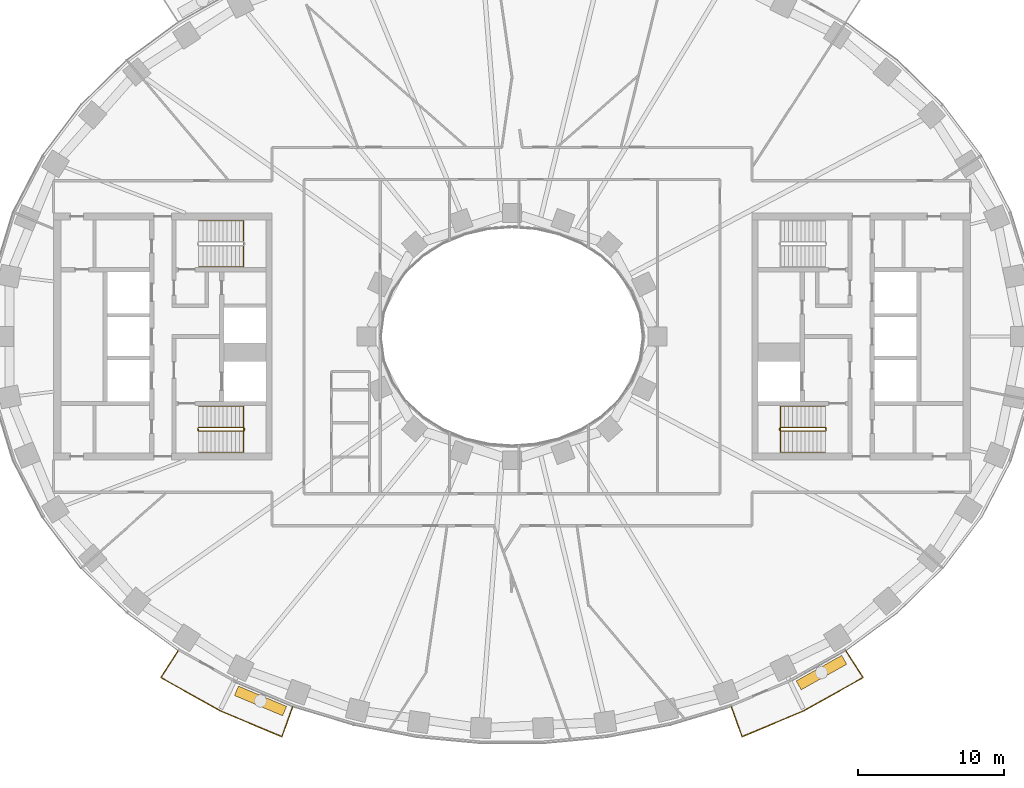
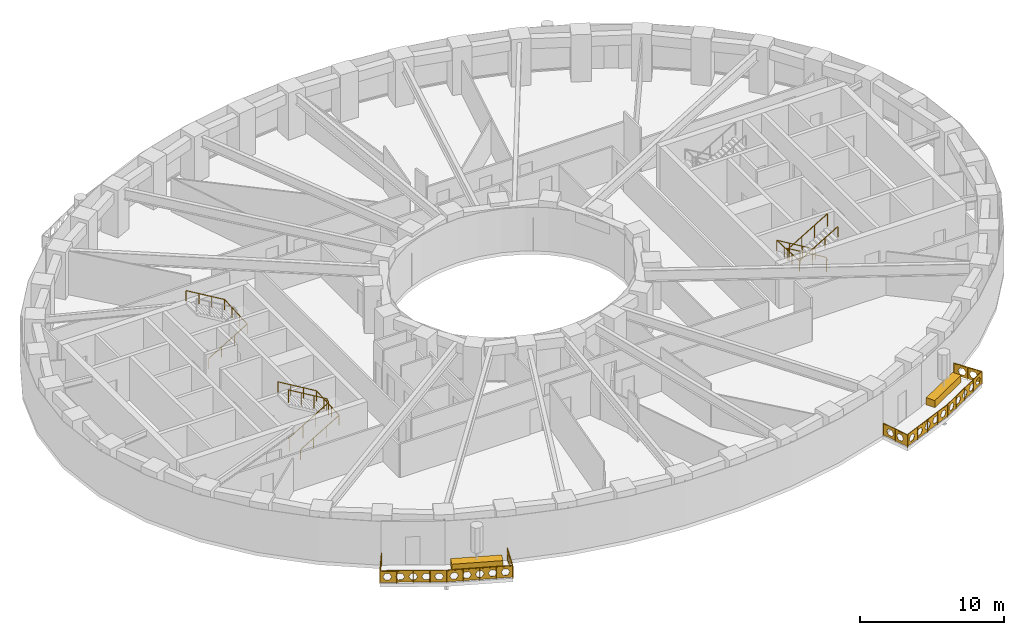
# One storey, part 13 of 15: 7 railings, 2 coverings.
"""IFC4 building model written with IfcOpenShell, lengths in metres."""

from ifc_helpers import new_model, si_unit, direction, frame, origin, origin_2d, place, context, subcontext, project, spatial, polyline, rectangle, outline, extrude, material, type_object, element, save


model = new_model("IFC4")

# Units and contexts
model_context = context("Model", 3, precision=1e-05, world=origin(), true_north=direction((0.0, 1.0)))
body_context = subcontext(model_context, "Body", "Model", "MODEL_VIEW")
ifc_project = project(units=[si_unit("LENGTHUNIT", "METRE"), si_unit("AREAUNIT", "SQUARE_METRE"), si_unit("VOLUMEUNIT", "CUBIC_METRE"), si_unit("PLANEANGLEUNIT", "RADIAN"), si_unit("MASSUNIT", "GRAM", prefix="KILO")], contexts=[model_context])

# Site, building, storey
site_placement = place(None, origin())
site = spatial("IfcSite", under=ifc_project, at=site_placement, CompositionType="ELEMENT")
building_placement = place(site_placement, origin())
building = spatial("IfcBuilding", under=site, at=building_placement, Name="Noorbagh Ring Tower", CompositionType="ELEMENT")
storey_placement = place(building_placement, frame((0.0, 0.0, 62.5)))
storey = spatial("IfcBuildingStorey", under=building, at=storey_placement, Name="L13", CompositionType="ELEMENT", Elevation=62.5)

# Railings
ifc_material_1 = material(Name="Stainless steel", Category="steel")
railing_type_1 = type_object("IfcRailingType", Name="CORE-STAIR-GUARD", PredefinedType="GUARDRAIL", material=ifc_material_1)
railing_1_placement = place(storey_placement, frame((-21.580078125, -6.449951171875, 0.0)))
element("IfcRailing", 1, at=railing_1_placement, inside=storey, type_object=railing_type_1, Name="L13 ST2 stair guard", PredefinedType="GUARDRAIL", context=body_context, shape_type="SweptSolid", body=[
    extrude(rectangle(XDim=0.048095703125, YDim=0.048095703125, at=origin_2d()), frame((0.0, 0.0, 1.076171875), z_axis=(0.0, 1.0, 0.0), x_axis=(-1.0, 0.0, 0.0)), (0.0, 0.0, 1.0), 0.14990234375),
    extrude(rectangle(XDim=0.048095703125, YDim=0.048095703125, at=origin_2d()), frame((0.0, 0.14990234375, 1.076171875), z_axis=(0.188775798145, -0.754182335027, 0.628945707965), x_axis=(0.970072785993, 0.242814311512, 0.0)), (0.0, 0.0, 1.0), 0.26513671875),
    extrude(rectangle(XDim=0.048095703125, YDim=0.048095703125, at=origin_2d()), frame((0.050048828125, -0.050048828125, 1.24267578125), z_axis=(0.859308565015, 0.0, 0.511457515432), x_axis=(0.0, 1.0, 0.0)), (0.0, 0.0, 1.0), 3.58447265625),
    extrude(rectangle(XDim=0.048095703125, YDim=0.048095703125, at=origin_2d()), frame((3.130126953125, -0.050048828125, 3.076171875), z_axis=(0.707106781187, 0.707106781187, 0.0), x_axis=(-0.707106781187, 0.707106781187, 0.0)), (0.0, 0.0, 1.0), 0.07080078125),
    extrude(rectangle(XDim=0.048095703125, YDim=0.048095703125, at=origin_2d()), frame((3.18017578125, 0.0, 3.076171875), z_axis=(0.0, 1.0, 0.0), x_axis=(-1.0, 0.0, 0.0)), (0.0, 0.0, 1.0), 0.14990234375),
    extrude(rectangle(XDim=0.048095703125, YDim=0.048095703125, at=origin_2d()), frame((3.18017578125, 0.14990234375, 3.076171875), z_axis=(-0.27628659633, 0.27628659633, 0.920506074601), x_axis=(-0.707106781187, -0.707106781187, 0.0)), (0.0, 0.0, 1.0), 0.18115234375),
    extrude(rectangle(XDim=0.048095703125, YDim=0.048095703125, at=origin_2d()), frame((3.130126953125, 0.199951171875, 3.24267578125), z_axis=(-0.859308565015, 0.0, 0.511457515432), x_axis=(0.0, -1.0, 0.0)), (0.0, 0.0, 1.0), 3.58447265625),
    extrude(rectangle(XDim=0.0419921875, YDim=0.0419921875, at=origin_2d()), origin(), (0.0, 0.0, 1.0), 1.052001953125),
    extrude(rectangle(XDim=0.0419921875, YDim=0.0419921875, at=origin_2d()), frame((1.07666015625, -0.050048828125, 0.77783203125)), (0.0, 0.0, 1.0), 1.052001953125),
    extrude(rectangle(XDim=0.0419921875, YDim=0.0419921875, at=origin_2d()), frame((2.103515625, -0.050048828125, 1.388916015625)), (0.0, 0.0, 1.0), 1.052001953125),
    extrude(rectangle(XDim=0.0419921875, YDim=0.0419921875, at=origin_2d()), frame((3.130126953125, -0.050048828125, 2.0)), (0.0, 0.0, 1.0), 1.052001953125),
    extrude(rectangle(XDim=0.0419921875, YDim=0.0419921875, at=origin_2d()), frame((3.130126953125, 0.199951171875, 2.166748046875)), (0.0, 0.0, 1.0), 1.052001953125),
    extrude(rectangle(XDim=0.0419921875, YDim=0.0419921875, at=origin_2d()), frame((2.103515625, 0.199951171875, 2.77783203125)), (0.0, 0.0, 1.0), 1.052001953125),
    extrude(rectangle(XDim=0.0419921875, YDim=0.0419921875, at=origin_2d()), frame((1.07666015625, 0.199951171875, 3.388916015625)), (0.0, 0.0, 1.0), 1.052001953125),
    extrude(rectangle(XDim=0.0419921875, YDim=0.0419921875, at=origin_2d()), frame((0.050048828125, 0.199951171875, 4.0)), (0.0, 0.0, 1.0), 1.052001953125),
])
railing_2_placement = place(storey_placement, frame((21.580078125, -6.300048828125, 0.0)))
element("IfcRailing", 2, at=railing_2_placement, inside=storey, type_object=railing_type_1, Name="L13 ST4 stair guard", PredefinedType="GUARDRAIL", context=body_context, shape_type="SweptSolid", body=[
    extrude(rectangle(XDim=0.048095703125, YDim=0.048095703125, at=origin_2d()), frame((0.0, 0.0, 1.076171875), z_axis=(0.0, -1.0, 0.0), x_axis=(1.0, 0.0, 0.0)), (0.0, 0.0, 1.0), 0.14990234375),
    extrude(rectangle(XDim=0.048095703125, YDim=0.048095703125, at=origin_2d()), frame((0.0, -0.14990234375, 1.076171875), z_axis=(-0.188775798145, 0.754182335027, 0.628945707965), x_axis=(-0.970072785993, -0.242814311512, 0.0)), (0.0, 0.0, 1.0), 0.26513671875),
    extrude(rectangle(XDim=0.048095703125, YDim=0.048095703125, at=origin_2d()), frame((-0.050048828125, 0.050048828125, 1.24267578125), z_axis=(-0.859308565015, 0.0, 0.511457515432), x_axis=(0.0, -1.0, 0.0)), (0.0, 0.0, 1.0), 3.58447265625),
    extrude(rectangle(XDim=0.048095703125, YDim=0.048095703125, at=origin_2d()), frame((-3.130126953125, 0.050048828125, 3.076171875), z_axis=(-0.707106781187, -0.707106781187, 0.0), x_axis=(0.707106781187, -0.707106781187, 0.0)), (0.0, 0.0, 1.0), 0.07080078125),
    extrude(rectangle(XDim=0.048095703125, YDim=0.048095703125, at=origin_2d()), frame((-3.18017578125, 0.0, 3.076171875), z_axis=(0.0, -1.0, 0.0), x_axis=(1.0, 0.0, 0.0)), (0.0, 0.0, 1.0), 0.14990234375),
    extrude(rectangle(XDim=0.048095703125, YDim=0.048095703125, at=origin_2d()), frame((-3.18017578125, -0.14990234375, 3.076171875), z_axis=(0.27628659633, -0.27628659633, 0.920506074601), x_axis=(0.707106781187, 0.707106781187, 0.0)), (0.0, 0.0, 1.0), 0.18115234375),
    extrude(rectangle(XDim=0.048095703125, YDim=0.048095703125, at=origin_2d()), frame((-3.130126953125, -0.199951171875, 3.24267578125), z_axis=(0.859308565015, 0.0, 0.511457515432), x_axis=(0.0, 1.0, 0.0)), (0.0, 0.0, 1.0), 3.58447265625),
    extrude(rectangle(XDim=0.0419921875, YDim=0.0419921875, at=origin_2d()), origin(), (0.0, 0.0, 1.0), 1.052001953125),
    extrude(rectangle(XDim=0.0419921875, YDim=0.0419921875, at=origin_2d()), frame((-1.07666015625, 0.050048828125, 0.77783203125)), (0.0, 0.0, 1.0), 1.052001953125),
    extrude(rectangle(XDim=0.0419921875, YDim=0.0419921875, at=origin_2d()), frame((-2.103515625, 0.050048828125, 1.388916015625)), (0.0, 0.0, 1.0), 1.052001953125),
    extrude(rectangle(XDim=0.0419921875, YDim=0.0419921875, at=origin_2d()), frame((-3.130126953125, 0.050048828125, 2.0)), (0.0, 0.0, 1.0), 1.052001953125),
    extrude(rectangle(XDim=0.0419921875, YDim=0.0419921875, at=origin_2d()), frame((-3.130126953125, -0.199951171875, 2.166748046875)), (0.0, 0.0, 1.0), 1.052001953125),
    extrude(rectangle(XDim=0.0419921875, YDim=0.0419921875, at=origin_2d()), frame((-2.103515625, -0.199951171875, 2.77783203125)), (0.0, 0.0, 1.0), 1.052001953125),
    extrude(rectangle(XDim=0.0419921875, YDim=0.0419921875, at=origin_2d()), frame((-1.07666015625, -0.199951171875, 3.388916015625)), (0.0, 0.0, 1.0), 1.052001953125),
    extrude(rectangle(XDim=0.0419921875, YDim=0.0419921875, at=origin_2d()), frame((-0.050048828125, -0.199951171875, 4.0)), (0.0, 0.0, 1.0), 1.052001953125),
])
ifc_material_2 = material(Name="Stainless steel", Category="steel")
railing_type_2 = type_object("IfcRailingType", Name="CORE-STAIR-HANDRAIL", PredefinedType="HANDRAIL", material=ifc_material_2)
railing_3_placement = place(storey_placement, frame((-21.530029296875, 4.800048828125, 0.166748046875)))
element("IfcRailing", 3, at=railing_3_placement, inside=storey, type_object=railing_type_2, Name="L13 ST1 stair handrail", PredefinedType="HANDRAIL", context=body_context, shape_type="SweptSolid", body=[
    extrude(rectangle(XDim=0.048095703125, YDim=0.048095703125, at=origin_2d()), frame((0.0, 0.0, 0.8759765625), z_axis=(0.859308565015, 0.0, 0.511457515432), x_axis=(0.0, 1.0, 0.0)), (0.0, 0.0, 1.0), 3.58447265625),
    extrude(rectangle(XDim=0.048095703125, YDim=0.048095703125, at=origin_2d()), frame((3.080078125, 0.0, 2.708984375), z_axis=(0.0, 0.998601747152, 0.052863509014), x_axis=(-1.0, 0.0, 0.0)), (0.0, 0.0, 1.0), 3.154296875),
    extrude(rectangle(XDim=0.048095703125, YDim=0.048095703125, at=origin_2d()), frame((3.080078125, 3.14990234375, 2.8759765625), z_axis=(-0.859308565015, 0.0, 0.511457515432), x_axis=(0.0, -1.0, 0.0)), (0.0, 0.0, 1.0), 3.58447265625),
    extrude(rectangle(XDim=0.0419921875, YDim=0.0419921875, at=origin_2d()), origin(), (0.0, 0.0, 1.0), 0.851806640625),
    extrude(rectangle(XDim=0.0419921875, YDim=0.0419921875, at=origin_2d()), frame((1.026611328125, 0.0, 0.611083984375)), (0.0, 0.0, 1.0), 0.851806640625),
    extrude(rectangle(XDim=0.0419921875, YDim=0.0419921875, at=origin_2d()), frame((2.053466796875, 0.0, 1.22216796875)), (0.0, 0.0, 1.0), 0.851806640625),
    extrude(rectangle(XDim=0.0419921875, YDim=0.0419921875, at=origin_2d()), frame((3.080078125, 0.0, 1.833251953125)), (0.0, 0.0, 1.0), 0.851806640625),
    extrude(rectangle(XDim=0.0419921875, YDim=0.0419921875, at=origin_2d()), frame((3.080078125, 1.050048828125, 1.888916015625)), (0.0, 0.0, 1.0), 0.851806640625),
    extrude(rectangle(XDim=0.0419921875, YDim=0.0419921875, at=origin_2d()), frame((3.080078125, 2.099853515625, 1.9443359375)), (0.0, 0.0, 1.0), 0.851806640625),
    extrude(rectangle(XDim=0.0419921875, YDim=0.0419921875, at=origin_2d()), frame((3.080078125, 3.14990234375, 2.0)), (0.0, 0.0, 1.0), 0.851806640625),
    extrude(rectangle(XDim=0.0419921875, YDim=0.0419921875, at=origin_2d()), frame((2.053466796875, 3.14990234375, 2.611083984375)), (0.0, 0.0, 1.0), 0.851806640625),
    extrude(rectangle(XDim=0.0419921875, YDim=0.0419921875, at=origin_2d()), frame((1.026611328125, 3.14990234375, 3.22216796875)), (0.0, 0.0, 1.0), 0.851806640625),
    extrude(rectangle(XDim=0.0419921875, YDim=0.0419921875, at=origin_2d()), frame((0.0, 3.14990234375, 3.833251953125)), (0.0, 0.0, 1.0), 0.851806640625),
])
railing_4_placement = place(storey_placement, frame((-21.530029296875, -7.949951171875, 0.166748046875)))
element("IfcRailing", 4, at=railing_4_placement, inside=storey, type_object=railing_type_2, Name="L13 ST2 stair handrail", PredefinedType="HANDRAIL", context=body_context, shape_type="SweptSolid", body=[
    extrude(rectangle(XDim=0.048095703125, YDim=0.048095703125, at=origin_2d()), frame((0.0, 0.0, 0.8759765625), z_axis=(0.859308565015, 0.0, 0.511457515432), x_axis=(0.0, 1.0, 0.0)), (0.0, 0.0, 1.0), 3.58447265625),
    extrude(rectangle(XDim=0.048095703125, YDim=0.048095703125, at=origin_2d()), frame((3.080078125, 0.0, 2.708984375), z_axis=(0.0, 0.998601747152, 0.052863509014), x_axis=(-1.0, 0.0, 0.0)), (0.0, 0.0, 1.0), 3.154296875),
    extrude(rectangle(XDim=0.048095703125, YDim=0.048095703125, at=origin_2d()), frame((3.080078125, 3.14990234375, 2.8759765625), z_axis=(-0.859308565015, 0.0, 0.511457515432), x_axis=(0.0, -1.0, 0.0)), (0.0, 0.0, 1.0), 3.58447265625),
    extrude(rectangle(XDim=0.0419921875, YDim=0.0419921875, at=origin_2d()), origin(), (0.0, 0.0, 1.0), 0.851806640625),
    extrude(rectangle(XDim=0.0419921875, YDim=0.0419921875, at=origin_2d()), frame((1.026611328125, 0.0, 0.611083984375)), (0.0, 0.0, 1.0), 0.851806640625),
    extrude(rectangle(XDim=0.0419921875, YDim=0.0419921875, at=origin_2d()), frame((2.053466796875, 0.0, 1.22216796875)), (0.0, 0.0, 1.0), 0.851806640625),
    extrude(rectangle(XDim=0.0419921875, YDim=0.0419921875, at=origin_2d()), frame((3.080078125, 0.0, 1.833251953125)), (0.0, 0.0, 1.0), 0.851806640625),
    extrude(rectangle(XDim=0.0419921875, YDim=0.0419921875, at=origin_2d()), frame((3.080078125, 1.050048828125, 1.888916015625)), (0.0, 0.0, 1.0), 0.851806640625),
    extrude(rectangle(XDim=0.0419921875, YDim=0.0419921875, at=origin_2d()), frame((3.080078125, 2.099853515625, 1.9443359375)), (0.0, 0.0, 1.0), 0.851806640625),
    extrude(rectangle(XDim=0.0419921875, YDim=0.0419921875, at=origin_2d()), frame((3.080078125, 3.14990234375, 2.0)), (0.0, 0.0, 1.0), 0.851806640625),
    extrude(rectangle(XDim=0.0419921875, YDim=0.0419921875, at=origin_2d()), frame((2.053466796875, 3.14990234375, 2.611083984375)), (0.0, 0.0, 1.0), 0.851806640625),
    extrude(rectangle(XDim=0.0419921875, YDim=0.0419921875, at=origin_2d()), frame((1.026611328125, 3.14990234375, 3.22216796875)), (0.0, 0.0, 1.0), 0.851806640625),
    extrude(rectangle(XDim=0.0419921875, YDim=0.0419921875, at=origin_2d()), frame((0.0, 3.14990234375, 3.833251953125)), (0.0, 0.0, 1.0), 0.851806640625),
])
railing_5_placement = place(storey_placement, frame((21.530029296875, -4.800048828125, 0.166748046875)))
element("IfcRailing", 5, at=railing_5_placement, inside=storey, type_object=railing_type_2, Name="L13 ST4 stair handrail", PredefinedType="HANDRAIL", context=body_context, shape_type="SweptSolid", body=[
    extrude(rectangle(XDim=0.048095703125, YDim=0.048095703125, at=origin_2d()), frame((0.0, 0.0, 0.8759765625), z_axis=(-0.859308565015, 0.0, 0.511457515432), x_axis=(0.0, -1.0, 0.0)), (0.0, 0.0, 1.0), 3.58447265625),
    extrude(rectangle(XDim=0.048095703125, YDim=0.048095703125, at=origin_2d()), frame((-3.080078125, 0.0, 2.708984375), z_axis=(0.0, -0.998601747152, 0.052863509014), x_axis=(1.0, 0.0, 0.0)), (0.0, 0.0, 1.0), 3.154296875),
    extrude(rectangle(XDim=0.048095703125, YDim=0.048095703125, at=origin_2d()), frame((-3.080078125, -3.14990234375, 2.8759765625), z_axis=(0.859308565015, 0.0, 0.511457515432), x_axis=(0.0, 1.0, 0.0)), (0.0, 0.0, 1.0), 3.58447265625),
    extrude(rectangle(XDim=0.0419921875, YDim=0.0419921875, at=origin_2d()), origin(), (0.0, 0.0, 1.0), 0.851806640625),
    extrude(rectangle(XDim=0.0419921875, YDim=0.0419921875, at=origin_2d()), frame((-1.026611328125, 0.0, 0.611083984375)), (0.0, 0.0, 1.0), 0.851806640625),
    extrude(rectangle(XDim=0.0419921875, YDim=0.0419921875, at=origin_2d()), frame((-2.053466796875, 0.0, 1.22216796875)), (0.0, 0.0, 1.0), 0.851806640625),
    extrude(rectangle(XDim=0.0419921875, YDim=0.0419921875, at=origin_2d()), frame((-3.080078125, 0.0, 1.833251953125)), (0.0, 0.0, 1.0), 0.851806640625),
    extrude(rectangle(XDim=0.0419921875, YDim=0.0419921875, at=origin_2d()), frame((-3.080078125, -1.050048828125, 1.888916015625)), (0.0, 0.0, 1.0), 0.851806640625),
    extrude(rectangle(XDim=0.0419921875, YDim=0.0419921875, at=origin_2d()), frame((-3.080078125, -2.099853515625, 1.9443359375)), (0.0, 0.0, 1.0), 0.851806640625),
    extrude(rectangle(XDim=0.0419921875, YDim=0.0419921875, at=origin_2d()), frame((-3.080078125, -3.14990234375, 2.0)), (0.0, 0.0, 1.0), 0.851806640625),
    extrude(rectangle(XDim=0.0419921875, YDim=0.0419921875, at=origin_2d()), frame((-2.053466796875, -3.14990234375, 2.611083984375)), (0.0, 0.0, 1.0), 0.851806640625),
    extrude(rectangle(XDim=0.0419921875, YDim=0.0419921875, at=origin_2d()), frame((-1.026611328125, -3.14990234375, 3.22216796875)), (0.0, 0.0, 1.0), 0.851806640625),
    extrude(rectangle(XDim=0.0419921875, YDim=0.0419921875, at=origin_2d()), frame((0.0, -3.14990234375, 3.833251953125)), (0.0, 0.0, 1.0), 0.851806640625),
])
ifc_material_3 = material(Name="Steel S275 black powder-coated", Category="steel")
railing_type_3 = type_object("IfcRailingType", Name="ENV-GUARD", PredefinedType="GUARDRAIL", material=ifc_material_3)
railing_6_placement = place(storey_placement, frame((-22.9326171875, -21.583740234375, 0.0)))
element("IfcRailing", 6, at=railing_6_placement, inside=storey, type_object=railing_type_3, Name="Balcony guard BS02", PredefinedType="GUARDRAIL", context=body_context, shape_type="SweptSolid", body=[
    extrude(rectangle(XDim=0.048095703125, YDim=0.048095703125, at=origin_2d()), frame((0.0, 0.0, 1.076171875), z_axis=(-0.542268136821, -0.840205491406, 0.0), x_axis=(0.840205491406, -0.542268136821, 0.0)), (0.0, 0.0, 1.0), 2.204345703125),
    extrude(rectangle(XDim=0.048095703125, YDim=0.048095703125, at=origin_2d()), frame((-1.1953125, -1.85205078125, 1.076171875), z_axis=(0.872052247658, -0.489412788303, 0.0), x_axis=(0.489412788303, 0.872052247658, 0.0)), (0.0, 0.0, 1.0), 4.646240234375),
    extrude(rectangle(XDim=0.048095703125, YDim=0.048095703125, at=origin_2d()), frame((2.8564453125, -4.1259765625, 1.076171875), z_axis=(0.921809087722, -0.387644174203, 0.0), x_axis=(0.387644174203, 0.921809087722, 0.0)), (0.0, 0.0, 1.0), 4.627197265625),
    extrude(rectangle(XDim=0.048095703125, YDim=0.048095703125, at=origin_2d()), frame((7.121826171875, -5.919677734375, 1.076171875), z_axis=(0.338350546839, 0.941020141896, 0.0), x_axis=(-0.941020141896, 0.338350546839, 0.0)), (0.0, 0.0, 1.0), 2.202880859375),
    extrude(rectangle(XDim=0.0419921875, YDim=0.0419921875, at=origin_2d()), origin(), (0.0, 0.0, 1.0), 1.052001953125),
    extrude(rectangle(XDim=0.0419921875, YDim=0.0419921875, at=origin_2d()), frame((-0.59765625, -0.926025390625, 0.0)), (0.0, 0.0, 1.0), 1.052001953125),
    extrude(rectangle(XDim=0.0419921875, YDim=0.0419921875, at=origin_2d()), frame((-1.1953125, -1.85205078125, 0.0)), (0.0, 0.0, 1.0), 1.052001953125),
    extrude(rectangle(XDim=0.0419921875, YDim=0.0419921875, at=origin_2d()), frame((-0.182373046875, -2.42041015625, 0.0)), (0.0, 0.0, 1.0), 1.052001953125),
    extrude(rectangle(XDim=0.0419921875, YDim=0.0419921875, at=origin_2d()), frame((0.83056640625, -2.989013671875, 0.0)), (0.0, 0.0, 1.0), 1.052001953125),
    extrude(rectangle(XDim=0.0419921875, YDim=0.0419921875, at=origin_2d()), frame((1.843505859375, -3.5576171875, 0.0)), (0.0, 0.0, 1.0), 1.052001953125),
    extrude(rectangle(XDim=0.0419921875, YDim=0.0419921875, at=origin_2d()), frame((2.8564453125, -4.1259765625, 0.0)), (0.0, 0.0, 1.0), 1.052001953125),
    extrude(rectangle(XDim=0.0419921875, YDim=0.0419921875, at=origin_2d()), frame((3.9228515625, -4.574462890625, 0.0)), (0.0, 0.0, 1.0), 1.052001953125),
    extrude(rectangle(XDim=0.0419921875, YDim=0.0419921875, at=origin_2d()), frame((4.9892578125, -5.02294921875, 0.0)), (0.0, 0.0, 1.0), 1.052001953125),
    extrude(rectangle(XDim=0.0419921875, YDim=0.0419921875, at=origin_2d()), frame((6.055419921875, -5.47119140625, 0.0)), (0.0, 0.0, 1.0), 1.052001953125),
    extrude(rectangle(XDim=0.0419921875, YDim=0.0419921875, at=origin_2d()), frame((7.121826171875, -5.919677734375, 0.0)), (0.0, 0.0, 1.0), 1.052001953125),
    extrude(rectangle(XDim=0.0419921875, YDim=0.0419921875, at=origin_2d()), frame((7.49462890625, -4.88330078125, 0.0)), (0.0, 0.0, 1.0), 1.052001953125),
    extrude(rectangle(XDim=0.0419921875, YDim=0.0419921875, at=origin_2d()), frame((7.8671875, -3.8466796875, 0.0)), (0.0, 0.0, 1.0), 1.052001953125),
    extrude(outline(polyline([(0.0, 0.10009765625), (2.204345703125, 0.10009765625), (2.204345703125, 1.031982421875), (0.0, 1.031982421875), (0.0, 0.10009765625)]), holes=[polyline([(0.962158203125, 0.56591796875), (0.80712890625, 0.83447265625), (0.4970703125, 0.83447265625), (0.342041015625, 0.56591796875), (0.4970703125, 0.297607421875), (0.80712890625, 0.297607421875), (0.962158203125, 0.56591796875)]), polyline([(1.862060546875, 0.56591796875), (1.70703125, 0.83447265625), (1.397216796875, 0.83447265625), (1.2421875, 0.56591796875), (1.397216796875, 0.297607421875), (1.70703125, 0.297607421875), (1.862060546875, 0.56591796875)])]), frame((0.00830078125, -0.00537109375, 0.0), z_axis=(-0.840205491406, 0.542268136821, 0.0), x_axis=(-0.542268136821, -0.840205491406, 0.0)), (0.0, 0.0, 1.0), 0.02001953125),
    extrude(outline(polyline([(0.0, 0.10009765625), (4.646240234375, 0.10009765625), (4.646240234375, 1.031982421875), (0.0, 1.031982421875), (0.0, 0.10009765625)]), holes=[polyline([(0.8330078125, 0.56591796875), (0.67822265625, 0.83447265625), (0.3681640625, 0.83447265625), (0.213134765625, 0.56591796875), (0.3681640625, 0.297607421875), (0.67822265625, 0.297607421875), (0.8330078125, 0.56591796875)]), polyline([(1.733154296875, 0.56591796875), (1.578125, 0.83447265625), (1.26806640625, 0.83447265625), (1.113037109375, 0.56591796875), (1.26806640625, 0.297607421875), (1.578125, 0.297607421875), (1.733154296875, 0.56591796875)]), polyline([(2.633056640625, 0.56591796875), (2.47802734375, 0.83447265625), (2.168212890625, 0.83447265625), (2.01318359375, 0.56591796875), (2.168212890625, 0.297607421875), (2.47802734375, 0.297607421875), (2.633056640625, 0.56591796875)]), polyline([(3.533203125, 0.56591796875), (3.378173828125, 0.83447265625), (3.068115234375, 0.83447265625), (2.9130859375, 0.56591796875), (3.068115234375, 0.297607421875), (3.378173828125, 0.297607421875), (3.533203125, 0.56591796875)]), polyline([(4.43310546875, 0.56591796875), (4.278076171875, 0.83447265625), (3.968017578125, 0.83447265625), (3.813232421875, 0.56591796875), (3.968017578125, 0.297607421875), (4.278076171875, 0.297607421875), (4.43310546875, 0.56591796875)])]), frame((-1.1904296875, -1.84326171875, 0.0), z_axis=(-0.489412788303, -0.872052247658, 0.0), x_axis=(0.872052247658, -0.489412788303, 0.0)), (0.0, 0.0, 1.0), 0.02001953125),
    extrude(outline(polyline([(0.0, 0.10009765625), (4.627197265625, 0.10009765625), (4.627197265625, 1.031982421875), (0.0, 1.031982421875), (0.0, 0.10009765625)]), holes=[polyline([(0.823486328125, 0.56591796875), (0.668701171875, 0.83447265625), (0.358642578125, 0.83447265625), (0.20361328125, 0.56591796875), (0.358642578125, 0.297607421875), (0.668701171875, 0.297607421875), (0.823486328125, 0.56591796875)]), polyline([(1.7236328125, 0.56591796875), (1.568603515625, 0.83447265625), (1.258544921875, 0.83447265625), (1.103515625, 0.56591796875), (1.258544921875, 0.297607421875), (1.568603515625, 0.297607421875), (1.7236328125, 0.56591796875)]), polyline([(2.62353515625, 0.56591796875), (2.468505859375, 0.83447265625), (2.15869140625, 0.83447265625), (2.003662109375, 0.56591796875), (2.15869140625, 0.297607421875), (2.468505859375, 0.297607421875), (2.62353515625, 0.56591796875)]), polyline([(3.523681640625, 0.56591796875), (3.36865234375, 0.83447265625), (3.05859375, 0.83447265625), (2.903564453125, 0.56591796875), (3.05859375, 0.297607421875), (3.36865234375, 0.297607421875), (3.523681640625, 0.56591796875)]), polyline([(4.423583984375, 0.56591796875), (4.2685546875, 0.83447265625), (3.95849609375, 0.83447265625), (3.8037109375, 0.56591796875), (3.95849609375, 0.297607421875), (4.2685546875, 0.297607421875), (4.423583984375, 0.56591796875)])]), frame((2.8603515625, -4.11669921875, 0.0), z_axis=(-0.387644174203, -0.921809087722, 0.0), x_axis=(0.921809087722, -0.387644174203, 0.0)), (0.0, 0.0, 1.0), 0.02001953125),
    extrude(outline(polyline([(0.0, 0.10009765625), (2.202880859375, 0.10009765625), (2.202880859375, 1.031982421875), (0.0, 1.031982421875), (0.0, 0.10009765625)]), holes=[polyline([(0.96142578125, 0.56591796875), (0.806396484375, 0.83447265625), (0.49658203125, 0.83447265625), (0.341552734375, 0.56591796875), (0.49658203125, 0.297607421875), (0.806396484375, 0.297607421875), (0.96142578125, 0.56591796875)]), polyline([(1.861572265625, 0.56591796875), (1.70654296875, 0.83447265625), (1.396484375, 0.83447265625), (1.241455078125, 0.56591796875), (1.396484375, 0.297607421875), (1.70654296875, 0.297607421875), (1.861572265625, 0.56591796875)])]), frame((7.1123046875, -5.916259765625, 0.0), z_axis=(0.941020141896, -0.338350546839, 0.0), x_axis=(0.338350546839, 0.941020141896, 0.0)), (0.0, 0.0, 1.0), 0.02001953125),
])
railing_7_placement = place(storey_placement, frame((15.0654296875, -25.430419921875, 0.0)))
element("IfcRailing", 7, at=railing_7_placement, inside=storey, type_object=railing_type_3, Name="Balcony guard BS05", PredefinedType="GUARDRAIL", context=body_context, shape_type="SweptSolid", body=[
    extrude(rectangle(XDim=0.048095703125, YDim=0.048095703125, at=origin_2d()), frame((0.0, 0.0, 1.076171875), z_axis=(0.338350546839, -0.941020141896, 0.0), x_axis=(0.941020141896, 0.338350546839, 0.0)), (0.0, 0.0, 1.0), 2.202880859375),
    extrude(rectangle(XDim=0.048095703125, YDim=0.048095703125, at=origin_2d()), frame((0.745361328125, -2.072998046875, 1.076171875), z_axis=(0.921809087722, 0.387644174203, 0.0), x_axis=(-0.387644174203, 0.921809087722, 0.0)), (0.0, 0.0, 1.0), 4.627197265625),
    extrude(rectangle(XDim=0.048095703125, YDim=0.048095703125, at=origin_2d()), frame((5.0107421875, -0.279296875, 1.076171875), z_axis=(0.872052247658, 0.489412788303, 0.0), x_axis=(-0.489412788303, 0.872052247658, 0.0)), (0.0, 0.0, 1.0), 4.646240234375),
    extrude(rectangle(XDim=0.048095703125, YDim=0.048095703125, at=origin_2d()), frame((9.0625, 1.99462890625, 1.076171875), z_axis=(-0.542268136821, 0.840205491406, 0.0), x_axis=(-0.840205491406, -0.542268136821, 0.0)), (0.0, 0.0, 1.0), 2.204345703125),
    extrude(rectangle(XDim=0.0419921875, YDim=0.0419921875, at=origin_2d()), origin(), (0.0, 0.0, 1.0), 1.052001953125),
    extrude(rectangle(XDim=0.0419921875, YDim=0.0419921875, at=origin_2d()), frame((0.37255859375, -1.03662109375, 0.0)), (0.0, 0.0, 1.0), 1.052001953125),
    extrude(rectangle(XDim=0.0419921875, YDim=0.0419921875, at=origin_2d()), frame((0.745361328125, -2.072998046875, 0.0)), (0.0, 0.0, 1.0), 1.052001953125),
    extrude(rectangle(XDim=0.0419921875, YDim=0.0419921875, at=origin_2d()), frame((1.811767578125, -1.62451171875, 0.0)), (0.0, 0.0, 1.0), 1.052001953125),
    extrude(rectangle(XDim=0.0419921875, YDim=0.0419921875, at=origin_2d()), frame((2.8779296875, -1.17626953125, 0.0)), (0.0, 0.0, 1.0), 1.052001953125),
    extrude(rectangle(XDim=0.0419921875, YDim=0.0419921875, at=origin_2d()), frame((3.9443359375, -0.727783203125, 0.0)), (0.0, 0.0, 1.0), 1.052001953125),
    extrude(rectangle(XDim=0.0419921875, YDim=0.0419921875, at=origin_2d()), frame((5.0107421875, -0.279296875, 0.0)), (0.0, 0.0, 1.0), 1.052001953125),
    extrude(rectangle(XDim=0.0419921875, YDim=0.0419921875, at=origin_2d()), frame((6.023681640625, 0.2890625, 0.0)), (0.0, 0.0, 1.0), 1.052001953125),
    extrude(rectangle(XDim=0.0419921875, YDim=0.0419921875, at=origin_2d()), frame((7.03662109375, 0.857666015625, 0.0)), (0.0, 0.0, 1.0), 1.052001953125),
    extrude(rectangle(XDim=0.0419921875, YDim=0.0419921875, at=origin_2d()), frame((8.049560546875, 1.42626953125, 0.0)), (0.0, 0.0, 1.0), 1.052001953125),
    extrude(rectangle(XDim=0.0419921875, YDim=0.0419921875, at=origin_2d()), frame((9.0625, 1.99462890625, 0.0)), (0.0, 0.0, 1.0), 1.052001953125),
    extrude(rectangle(XDim=0.0419921875, YDim=0.0419921875, at=origin_2d()), frame((8.46484375, 2.920654296875, 0.0)), (0.0, 0.0, 1.0), 1.052001953125),
    extrude(rectangle(XDim=0.0419921875, YDim=0.0419921875, at=origin_2d()), frame((7.8671875, 3.8466796875, 0.0)), (0.0, 0.0, 1.0), 1.052001953125),
    extrude(outline(polyline([(0.0, 0.10009765625), (2.202880859375, 0.10009765625), (2.202880859375, 1.031982421875), (0.0, 1.031982421875), (0.0, 0.10009765625)]), holes=[polyline([(0.96142578125, 0.56591796875), (0.806396484375, 0.83447265625), (0.49658203125, 0.83447265625), (0.341552734375, 0.56591796875), (0.49658203125, 0.297607421875), (0.806396484375, 0.297607421875), (0.96142578125, 0.56591796875)]), polyline([(1.861572265625, 0.56591796875), (1.70654296875, 0.83447265625), (1.396484375, 0.83447265625), (1.241455078125, 0.56591796875), (1.396484375, 0.297607421875), (1.70654296875, 0.297607421875), (1.861572265625, 0.56591796875)])]), frame((0.009521484375, 0.00341796875, 0.0), z_axis=(-0.941020141896, -0.338350546839, 0.0), x_axis=(0.338350546839, -0.941020141896, 0.0)), (0.0, 0.0, 1.0), 0.02001953125),
    extrude(outline(polyline([(0.0, 0.10009765625), (4.627197265625, 0.10009765625), (4.627197265625, 1.031982421875), (0.0, 1.031982421875), (0.0, 0.10009765625)]), holes=[polyline([(0.823486328125, 0.56591796875), (0.668701171875, 0.83447265625), (0.358642578125, 0.83447265625), (0.20361328125, 0.56591796875), (0.358642578125, 0.297607421875), (0.668701171875, 0.297607421875), (0.823486328125, 0.56591796875)]), polyline([(1.7236328125, 0.56591796875), (1.568603515625, 0.83447265625), (1.258544921875, 0.83447265625), (1.103515625, 0.56591796875), (1.258544921875, 0.297607421875), (1.568603515625, 0.297607421875), (1.7236328125, 0.56591796875)]), polyline([(2.62353515625, 0.56591796875), (2.468505859375, 0.83447265625), (2.15869140625, 0.83447265625), (2.003662109375, 0.56591796875), (2.15869140625, 0.297607421875), (2.468505859375, 0.297607421875), (2.62353515625, 0.56591796875)]), polyline([(3.523681640625, 0.56591796875), (3.36865234375, 0.83447265625), (3.05859375, 0.83447265625), (2.903564453125, 0.56591796875), (3.05859375, 0.297607421875), (3.36865234375, 0.297607421875), (3.523681640625, 0.56591796875)]), polyline([(4.423583984375, 0.56591796875), (4.2685546875, 0.83447265625), (3.95849609375, 0.83447265625), (3.8037109375, 0.56591796875), (3.95849609375, 0.297607421875), (4.2685546875, 0.297607421875), (4.423583984375, 0.56591796875)])]), frame((0.741455078125, -2.063720703125, 0.0), z_axis=(0.387644174203, -0.921809087722, 0.0), x_axis=(0.921809087722, 0.387644174203, 0.0)), (0.0, 0.0, 1.0), 0.02001953125),
    extrude(outline(polyline([(0.0, 0.10009765625), (4.646240234375, 0.10009765625), (4.646240234375, 1.031982421875), (0.0, 1.031982421875), (0.0, 0.10009765625)]), holes=[polyline([(0.8330078125, 0.56591796875), (0.67822265625, 0.83447265625), (0.3681640625, 0.83447265625), (0.213134765625, 0.56591796875), (0.3681640625, 0.297607421875), (0.67822265625, 0.297607421875), (0.8330078125, 0.56591796875)]), polyline([(1.733154296875, 0.56591796875), (1.578125, 0.83447265625), (1.26806640625, 0.83447265625), (1.113037109375, 0.56591796875), (1.26806640625, 0.297607421875), (1.578125, 0.297607421875), (1.733154296875, 0.56591796875)]), polyline([(2.633056640625, 0.56591796875), (2.47802734375, 0.83447265625), (2.168212890625, 0.83447265625), (2.01318359375, 0.56591796875), (2.168212890625, 0.297607421875), (2.47802734375, 0.297607421875), (2.633056640625, 0.56591796875)]), polyline([(3.533203125, 0.56591796875), (3.378173828125, 0.83447265625), (3.068115234375, 0.83447265625), (2.9130859375, 0.56591796875), (3.068115234375, 0.297607421875), (3.378173828125, 0.297607421875), (3.533203125, 0.56591796875)]), polyline([(4.43310546875, 0.56591796875), (4.278076171875, 0.83447265625), (3.968017578125, 0.83447265625), (3.813232421875, 0.56591796875), (3.968017578125, 0.297607421875), (4.278076171875, 0.297607421875), (4.43310546875, 0.56591796875)])]), frame((5.005859375, -0.2705078125, 0.0), z_axis=(0.489412788303, -0.872052247658, 0.0), x_axis=(0.872052247658, 0.489412788303, 0.0)), (0.0, 0.0, 1.0), 0.02001953125),
    extrude(outline(polyline([(0.0, 0.10009765625), (2.204345703125, 0.10009765625), (2.204345703125, 1.031982421875), (0.0, 1.031982421875), (0.0, 0.10009765625)]), holes=[polyline([(0.962158203125, 0.56591796875), (0.80712890625, 0.83447265625), (0.4970703125, 0.83447265625), (0.342041015625, 0.56591796875), (0.4970703125, 0.297607421875), (0.80712890625, 0.297607421875), (0.962158203125, 0.56591796875)]), polyline([(1.862060546875, 0.56591796875), (1.70703125, 0.83447265625), (1.397216796875, 0.83447265625), (1.2421875, 0.56591796875), (1.397216796875, 0.297607421875), (1.70703125, 0.297607421875), (1.862060546875, 0.56591796875)])]), frame((9.05419921875, 1.9892578125, 0.0), z_axis=(0.840205491406, 0.542268136821, 0.0), x_axis=(-0.542268136821, 0.840205491406, 0.0)), (0.0, 0.0, 1.0), 0.02001953125),
])

# Coverings
ifc_material_4 = material(Name="Concrete C30/37 planter with soil", Category="concrete")
covering_type = type_object("IfcCoveringType", Name="ENV-PLANTER", PredefinedType="CLADDING", material=ifc_material_4)
covering_1_placement = place(storey_placement, frame((-17.280517578125, -25.041259765625, 0.0), z_axis=(0.0, 0.0, 1.0), x_axis=(0.921811566494, -0.387638279686, 0.0)))
element("IfcCovering", 8, at=covering_1_placement, inside=storey, type_object=covering_type, Name="PLANTER BS02", ObjectType="PLANTER", PredefinedType="CLADDING", context=body_context, shape_type="SweptSolid", body=[
    extrude(rectangle(XDim=3.5859375, YDim=0.699951171875, at=origin_2d()), origin(), (0.0, 0.0, 1.0), 0.60009765625),
])
covering_2_placement = place(storey_placement, frame((21.26513671875, -23.093017578125, 0.0), z_axis=(0.0, 0.0, 1.0), x_axis=(0.872044586249, 0.48942643941, 0.0)))
element("IfcCovering", 9, at=covering_2_placement, inside=storey, type_object=covering_type, Name="PLANTER BS05", ObjectType="PLANTER", PredefinedType="CLADDING", context=body_context, shape_type="SweptSolid", body=[
    extrude(rectangle(XDim=3.58544921875, YDim=0.699951171875, at=origin_2d()), origin(), (0.0, 0.0, 1.0), 0.60009765625),
])

save(model, "model.ifc")
